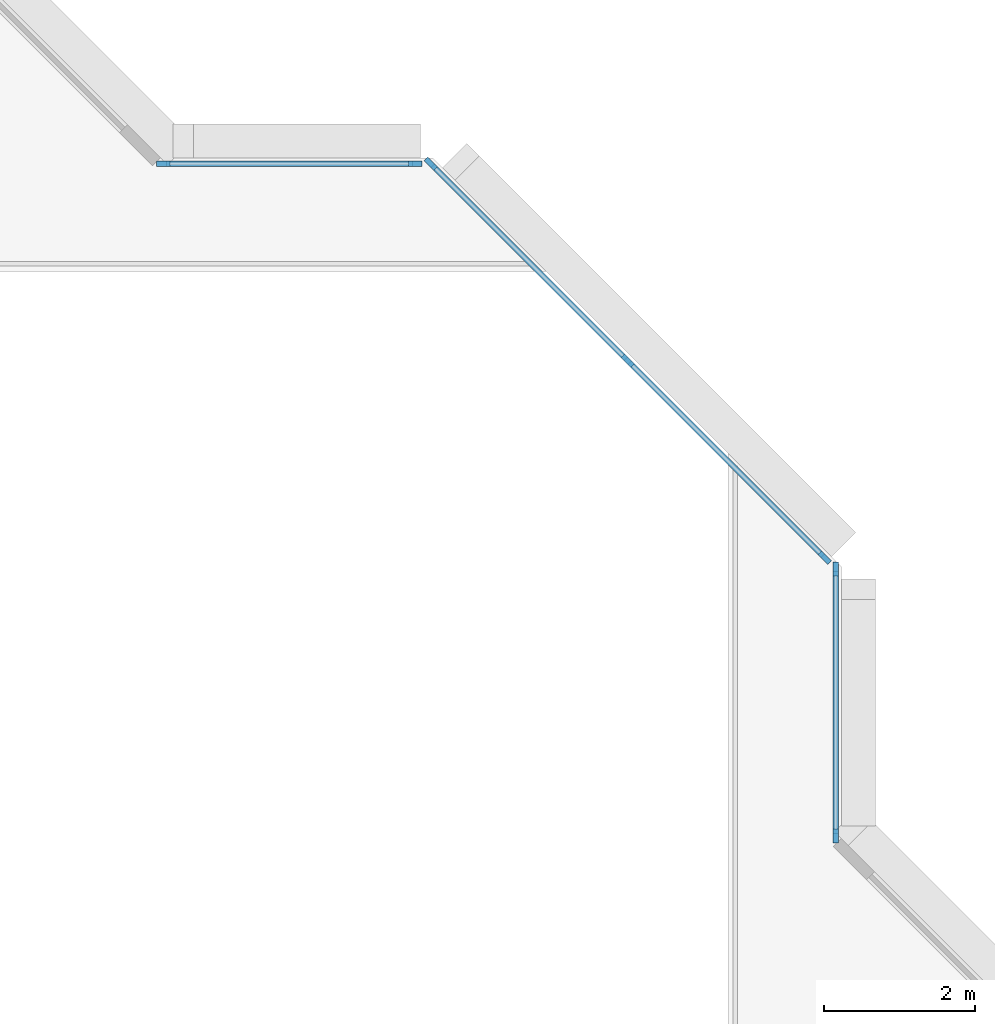
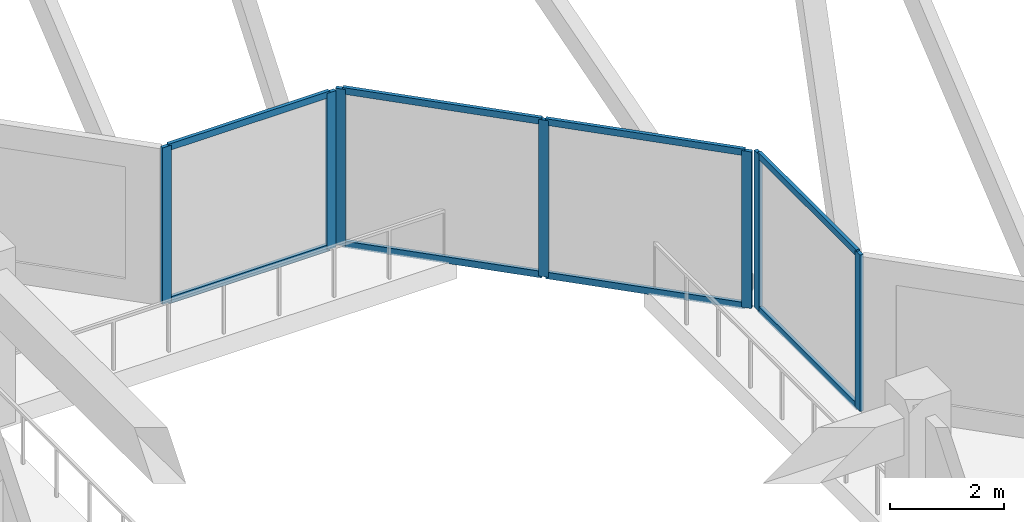
# One storey, part 2 of 15: 15 members, 3 elements without a shape of their own.
"""IFC4 building model written with IfcOpenShell, lengths in metres."""

import ifcopenshell
import ifcopenshell.guid

model = None  # the IFC model being written
_history = None  # IfcOwnerHistory: only IFC2X3 demands one
_inside = {}  # id of a spatial element -> (the spatial element, [elements in it])
_under = {}  # id of a project, library or spatial element -> (it, [spatial elements below it])
_declared = {}  # id of a project -> (the project, [libraries it declares])
_typed = {}  # id of a type object -> (the type object, [elements of that type])
_made_of = {}  # id of a material, layer set ... -> (it, [elements and type objects made of it])


def new_model(schema):
    """Start an empty IFC model of exactly this schema.

    Asked for "IFC4X3", IfcOpenShell would pick the latest addendum, in which some entities
    have other attributes; the version numbers below select the first issue.
    IFC2X3 requires an IfcOwnerHistory on every rooted entity: one is made here for all.
    """
    global model, _history
    if schema == "IFC4X3":
        model = ifcopenshell.file(schema_version=(4, 3, 0, 0))
    else:
        model = ifcopenshell.file(schema=schema)
    _inside.clear()
    _under.clear()
    _declared.clear()
    _typed.clear()
    _made_of.clear()
    _history = None
    if model.schema == "IFC2X3":
        org = make("IfcOrganization", Name="unknown")
        user = make(
            "IfcPersonAndOrganization",
            ThePerson=make("IfcPerson", FamilyName="unknown"),
            TheOrganization=org,
        )
        app = make(
            "IfcApplication",
            ApplicationDeveloper=org,
            Version="unknown",
            ApplicationFullName="unknown",
            ApplicationIdentifier="unknown",
        )
        _history = make(
            "IfcOwnerHistory",
            OwningUser=user,
            OwningApplication=app,
            ChangeAction="ADDED",
            CreationDate=0,
        )
    return model


def make(cls, **values):
    """One entity of the class cls with the attributes given. An attribute that is None is left unset."""
    return model.create_entity(
        cls, **{name: value for name, value in values.items() if value is not None}
    )


def rooted(cls, **values):
    """An entity with a GlobalId (a new one), such as an element, a storey or a relation."""
    return make(cls, GlobalId=ifcopenshell.guid.new(), OwnerHistory=_history, **values)


def si_unit(unit_type, name, prefix=None):
    """IfcSIUnit, for example si_unit("LENGTHUNIT", "METRE", prefix="MILLI")."""
    return make("IfcSIUnit", UnitType=unit_type, Prefix=prefix, Name=name)


def assignment(units):
    """IfcUnitAssignment: the units of a project."""
    return None if units is None else make("IfcUnitAssignment", Units=units)


def point(xyz):
    """IfcCartesianPoint."""
    return None if xyz is None else make("IfcCartesianPoint", Coordinates=xyz)


def direction(xyz):
    """IfcDirection."""
    return None if xyz is None else make("IfcDirection", DirectionRatios=xyz)


def frame(location, z_axis=None, x_axis=None):
    """IfcAxis2Placement3D, a coordinate frame: its origin and axes. An axis left out is left unset."""
    return make(
        "IfcAxis2Placement3D",
        Location=point(location),
        Axis=direction(z_axis),
        RefDirection=direction(x_axis),
    )


def frame_2d(location, x_axis=None):
    """IfcAxis2Placement2D, a coordinate frame in the plane: its origin and x axis."""
    return make(
        "IfcAxis2Placement2D", Location=point(location), RefDirection=direction(x_axis)
    )


def origin():
    """The frame at (0, 0, 0) with its axes left unset."""
    return frame((0.0, 0.0, 0.0))


def origin_2d():
    """The frame at (0, 0) in the plane with its x axis left unset."""
    return frame_2d((0.0, 0.0))


def place(relative_to, where):
    """IfcLocalPlacement: puts the frame where relative to a parent placement (None: the world)."""
    return make(
        "IfcLocalPlacement", PlacementRelTo=relative_to, RelativePlacement=where
    )


def context(
    kind, dimensions, precision=None, world=None, true_north=None, identifier=None
):
    """IfcGeometricRepresentationContext, for example the 3D "Model" context."""
    return make(
        "IfcGeometricRepresentationContext",
        ContextIdentifier=identifier,
        ContextType=kind,
        CoordinateSpaceDimension=dimensions,
        Precision=precision,
        WorldCoordinateSystem=world,
        TrueNorth=true_north,
    )


def subcontext(parent, identifier, kind, view, scale=None):
    """IfcGeometricRepresentationSubContext, for example "Body" below "Model"."""
    return make(
        "IfcGeometricRepresentationSubContext",
        ContextIdentifier=identifier,
        ContextType=kind,
        ParentContext=parent,
        TargetScale=scale,
        TargetView=view,
    )


def project(units=None, contexts=None):
    """IfcProject with its units and contexts."""
    return rooted(
        "IfcProject",
        Name="project",
        RepresentationContexts=contexts,
        UnitsInContext=assignment(units),
    )


def spatial(cls, under=None, at=None, **own):
    """A site, building, storey or space (cls), placed at a placement, below another one or the project."""
    s = rooted(cls, ObjectPlacement=at, **own)
    if under is not None:
        _under.setdefault(under.id(), (under, []))[1].append(s)
    return s


def profile(cls, at=None, kind="AREA", **sizes):
    """A parametric profile (cls). Its sizes go by their IFC names, for example OverallWidth=200.0."""
    return make(cls, ProfileType=kind, Position=at, **sizes)


def rectangle(**sizes):
    """IfcRectangleProfileDef."""
    return profile("IfcRectangleProfileDef", **sizes)


def extrude(swept, where, along, depth):
    """IfcExtrudedAreaSolid: the profile swept, set in the frame where, extruded along a direction by depth."""
    return make(
        "IfcExtrudedAreaSolid",
        SweptArea=swept,
        Position=where,
        ExtrudedDirection=direction(along),
        Depth=depth,
    )


def shape(context_of_items, identifier, shape_type, items):
    """IfcShapeRepresentation: the items that make up one representation, for example the "Body"."""
    return make(
        "IfcShapeRepresentation",
        ContextOfItems=context_of_items,
        RepresentationIdentifier=identifier,
        RepresentationType=shape_type,
        Items=items,
    )


def material(Name=None, Category=None):
    """IfcMaterial."""
    return make("IfcMaterial", Name=Name, Category=Category)


def layer(
    of_material, thickness, ventilated=None, Name=None, Category=None, Priority=None
):
    """IfcMaterialLayer: one layer of a wall or slab, of a material (None: an air gap)."""
    return make(
        "IfcMaterialLayer",
        Material=of_material,
        LayerThickness=thickness,
        IsVentilated=ventilated,
        Name=Name,
        Category=Category,
        Priority=Priority,
    )


def layer_set(layers, Name=None):
    """IfcMaterialLayerSet."""
    return make("IfcMaterialLayerSet", MaterialLayers=layers, LayerSetName=Name)


def material_profile(
    of_material, cross_section, Name=None, Category=None, Priority=None
):
    """IfcMaterialProfile: a cross section and its material."""
    return make(
        "IfcMaterialProfile",
        Name=Name,
        Material=of_material,
        Profile=cross_section,
        Priority=Priority,
        Category=Category,
    )


def profile_set(profiles, Name=None, composite=None):
    """IfcMaterialProfileSet."""
    return make(
        "IfcMaterialProfileSet",
        Name=Name,
        MaterialProfiles=profiles,
        CompositeProfile=composite,
    )


def made_of(thing, what):
    """Note that an element or type object is made of a material, layer set ...; save() writes the relation."""
    if what is not None:
        _made_of.setdefault(what.id(), (what, []))[1].append(thing)
    return thing


def type_object(cls, material=None, **own):
    """A type object (cls), such as IfcWallType, which elements share."""
    return made_of(rooted(cls, **own), material)


def element(
    cls,
    number,
    at=None,
    inside=None,
    cuts=None,
    type_object=None,
    material=None,
    context=None,
    identifier="Body",
    shape_type=None,
    held_by="IfcProductDefinitionShape",
    body=None,
    shapes=None,
    **own,
):
    """One element of the class cls, such as IfcWall. Its Tag is "e" and its number.

    at: its placement. inside: the storey or other place that contains it. cuts: it is an
    opening in that element (IfcRelVoidsElement). A single representation is given by context,
    identifier, shape_type and body (its items); several are given by shapes. held_by: the class
    of the entity that holds the representations. save() writes the other relations.
    """
    e = rooted(cls, Tag="e%d" % number, ObjectPlacement=at, **own)
    if body is not None:
        shapes = [shape(context, identifier, shape_type, body)]
    if shapes is not None:
        e.Representation = make(held_by, Representations=shapes)
    if inside is not None:
        _inside.setdefault(inside.id(), (inside, []))[1].append(e)
    if cuts is not None:
        rooted(
            "IfcRelVoidsElement", RelatingBuildingElement=cuts, RelatedOpeningElement=e
        )
    if type_object is not None:
        _typed.setdefault(type_object.id(), (type_object, []))[1].append(e)
    return made_of(e, material)


def aggregate(whole, parts):
    """IfcRelAggregates: a whole, such as a stair, and the parts it consists of."""
    return rooted("IfcRelAggregates", RelatingObject=whole, RelatedObjects=parts)


def save(model, path):
    """Write the relations noted so far, then the file.

    IfcRelAggregates (storeys below a building ...), IfcRelContainedInSpatialStructure (elements
    in a storey), IfcRelDefinesByType, IfcRelAssociatesMaterial and IfcRelDeclares: one each for
    every whole, place, type object, material and project.
    """
    for whole, parts in _under.values():
        aggregate(whole, parts)
    for where, things in _inside.values():
        rooted(
            "IfcRelContainedInSpatialStructure",
            RelatedElements=things,
            RelatingStructure=where,
        )
    for kind, things in _typed.values():
        rooted("IfcRelDefinesByType", RelatedObjects=things, RelatingType=kind)
    for what, things in _made_of.values():
        rooted("IfcRelAssociatesMaterial", RelatedObjects=things, RelatingMaterial=what)
    for by, libraries in _declared.values():
        rooted("IfcRelDeclares", RelatingContext=by, RelatedDefinitions=libraries)
    model.write(path)


model = new_model("IFC4")

# Units and contexts
model_context = context("Model", 3, precision=1e-05, world=origin(), true_north=direction((0.0, 1.0)))
body_context = subcontext(model_context, "Body", "Model", "MODEL_VIEW")
ifc_project = project(units=[si_unit("LENGTHUNIT", "METRE"), si_unit("AREAUNIT", "SQUARE_METRE"), si_unit("VOLUMEUNIT", "CUBIC_METRE"), si_unit("PLANEANGLEUNIT", "RADIAN"), si_unit("MASSUNIT", "GRAM", prefix="KILO")], contexts=[model_context])

# Site, building, storey
site_placement = place(None, origin())
site = spatial("IfcSite", under=ifc_project, at=site_placement, CompositionType="ELEMENT")
building_placement = place(site_placement, origin())
building = spatial("IfcBuilding", under=site, at=building_placement, Name="Chenar Terraces", CompositionType="ELEMENT")
storey_placement = place(building_placement, frame((0.0, 0.0, 245.39990234375)))
storey = spatial("IfcBuildingStorey", under=building, at=storey_placement, Name="L58", CompositionType="ELEMENT", Elevation=245.39990234375)

# Curtain wall, members
ifc_material_1 = material(Name="Aluminium framed glazing", Category="aluminium")
ifc_layer = layer(ifc_material_1, 0.14990234375)
ifc_layer_set = layer_set([ifc_layer], Name="Aluminium framed glazing")
curtain_wall_type = type_object("IfcCurtainWallType", Name="Atrium mid-zone curtain wall", PredefinedType="NOTDEFINED", material=ifc_layer_set)
placement = place(storey_placement, origin())
curtain_wall_1 = element("IfcCurtainWall", 1, at=placement, inside=storey, type_object=curtain_wall_type, Name="Atrium mid-zone curtain wall", PredefinedType="NOTDEFINED")
ifc_material_2 = material(Name="Aluminium", Category="aluminium")
ifc_material_profile_1 = material_profile(ifc_material_2, rectangle(XDim=0.070068359375, YDim=0.179931640625, at=origin_2d()), Name="Atrium mid-zone glazing mullion 70 x 180")
ifc_profile_set_1 = profile_set([ifc_material_profile_1], Name="Aluminium")
member_type_1 = type_object("IfcMemberType", Name="Atrium mid-zone glazing mullion 70 x 180", PredefinedType="MULLION", material=ifc_profile_set_1)
member_1_placement = place(storey_placement, frame((37.425048828125, 28.534912109375, 0.0), z_axis=(0.0, 0.0, 1.0), x_axis=(-1.0, 0.0, 0.0)))
member_1 = element("IfcMember", 2, at=member_1_placement, type_object=member_type_1, Name="CW7-1 mullion 1", PredefinedType="MULLION", context=body_context, shape_type="SweptSolid", body=[
    extrude(rectangle(XDim=0.070068359375, YDim=0.179931640625, at=origin_2d()), origin(), (0.0, 0.0, 1.0), 3.35009765625),
])
member_2_placement = place(storey_placement, frame((37.425048828125, 32.06494140625, 0.0), z_axis=(0.0, 0.0, 1.0), x_axis=(-1.0, 0.0, 0.0)))
member_2 = element("IfcMember", 3, at=member_2_placement, type_object=member_type_1, Name="CW7-1 mullion 2", PredefinedType="MULLION", context=body_context, shape_type="SweptSolid", body=[
    extrude(rectangle(XDim=0.070068359375, YDim=0.179931640625, at=origin_2d()), origin(), (0.0, 0.0, 1.0), 3.35009765625),
])

curtain_wall_2 = element("IfcCurtainWall", 4, at=placement, inside=storey, type_object=curtain_wall_type, Name="Atrium mid-zone curtain wall", PredefinedType="NOTDEFINED")
member_3_placement = place(storey_placement, frame((37.28076171875, 32.213134765625, 0.0), z_axis=(0.0, 0.0, 1.0), x_axis=(-0.707106781187, -0.707106781187, 0.0)))
member_3 = element("IfcMember", 5, at=member_3_placement, type_object=member_type_1, Name="CW7-2 mullion 1", PredefinedType="MULLION", context=body_context, shape_type="SweptSolid", body=[
    extrude(rectangle(XDim=0.070068359375, YDim=0.179931640625, at=origin_2d()), origin(), (0.0, 0.0, 1.0), 3.35009765625),
])
member_4_placement = place(storey_placement, frame((34.67626953125, 34.817626953125, 0.0), z_axis=(0.0, 0.0, 1.0), x_axis=(-0.707106781187, -0.707106781187, 0.0)))
member_4 = element("IfcMember", 6, at=member_4_placement, type_object=member_type_1, Name="CW7-2 mullion 2", PredefinedType="MULLION", context=body_context, shape_type="SweptSolid", body=[
    extrude(rectangle(XDim=0.070068359375, YDim=0.179931640625, at=origin_2d()), origin(), (0.0, 0.0, 1.0), 3.35009765625),
])
member_5_placement = place(storey_placement, frame((32.07177734375, 37.42236328125, 0.0), z_axis=(0.0, 0.0, 1.0), x_axis=(-0.707106781187, -0.707106781187, 0.0)))
member_5 = element("IfcMember", 7, at=member_5_placement, type_object=member_type_1, Name="CW7-2 mullion 3", PredefinedType="MULLION", context=body_context, shape_type="SweptSolid", body=[
    extrude(rectangle(XDim=0.070068359375, YDim=0.179931640625, at=origin_2d()), origin(), (0.0, 0.0, 1.0), 3.35009765625),
])

curtain_wall_3 = element("IfcCurtainWall", 8, at=placement, inside=storey, type_object=curtain_wall_type, Name="Atrium mid-zone curtain wall", PredefinedType="NOTDEFINED")
member_6_placement = place(storey_placement, frame((31.864990234375, 37.425048828125, 0.0), z_axis=(0.0, 0.0, 1.0), x_axis=(0.0, -1.0, 0.0)))
member_6 = element("IfcMember", 9, at=member_6_placement, type_object=member_type_1, Name="CW7-3 mullion 1", PredefinedType="MULLION", context=body_context, shape_type="SweptSolid", body=[
    extrude(rectangle(XDim=0.070068359375, YDim=0.179931640625, at=origin_2d()), origin(), (0.0, 0.0, 1.0), 3.35009765625),
])
member_7_placement = place(storey_placement, frame((28.534912109375, 37.425048828125, 0.0), z_axis=(0.0, 0.0, 1.0), x_axis=(0.0, -1.0, 0.0)))
member_7 = element("IfcMember", 10, at=member_7_placement, type_object=member_type_1, Name="CW7-3 mullion 2", PredefinedType="MULLION", context=body_context, shape_type="SweptSolid", body=[
    extrude(rectangle(XDim=0.070068359375, YDim=0.179931640625, at=origin_2d()), origin(), (0.0, 0.0, 1.0), 3.35009765625),
])

# Member
ifc_material_3 = material(Name="Aluminium", Category="aluminium")
ifc_material_profile_2 = material_profile(ifc_material_3, rectangle(XDim=0.070068359375, YDim=0.139892578125, at=origin_2d()), Name="Atrium mid-zone glazing transom 70 x 140")
ifc_profile_set_2 = profile_set([ifc_material_profile_2], Name="Aluminium")
member_type_2 = type_object("IfcMemberType", Name="Atrium mid-zone glazing transom 70 x 140", PredefinedType="USERDEFINED", material=ifc_profile_set_2)
member_8_placement = place(storey_placement, frame((37.425048828125, 28.570068359375, 0.03515625), z_axis=(0.0, 1.0, 0.0), x_axis=(-1.0, 0.0, 0.0)))
member_8 = element("IfcMember", 11, at=member_8_placement, type_object=member_type_2, Name="CW7-1 transom 1.1", ObjectType="TRANSOM", PredefinedType="USERDEFINED", context=body_context, shape_type="SweptSolid", body=[
    extrude(rectangle(XDim=0.070068359375, YDim=0.139892578125, at=origin_2d()), origin(), (0.0, 0.0, 1.0), 3.4599609375),
])

member_9_placement = place(storey_placement, frame((37.425048828125, 28.570068359375, 3.315185546875), z_axis=(0.0, 1.0, 0.0), x_axis=(-1.0, 0.0, 0.0)))
member_9 = element("IfcMember", 12, at=member_9_placement, type_object=member_type_2, Name="CW7-1 transom 1.2", ObjectType="TRANSOM", PredefinedType="USERDEFINED", context=body_context, shape_type="SweptSolid", body=[
    extrude(rectangle(XDim=0.070068359375, YDim=0.139892578125, at=origin_2d()), origin(), (0.0, 0.0, 1.0), 3.4599609375),
])

aggregate(curtain_wall_1, [member_1, member_2, member_8, member_9])

member_10_placement = place(storey_placement, frame((37.256103515625, 32.23779296875, 0.03515625), z_axis=(-0.707106781187, 0.707106781187, 0.0), x_axis=(-0.707106781187, -0.707106781187, 0.0)))
member_10 = element("IfcMember", 13, at=member_10_placement, type_object=member_type_2, Name="CW7-2 transom 1.1", ObjectType="TRANSOM", PredefinedType="USERDEFINED", context=body_context, shape_type="SweptSolid", body=[
    extrude(rectangle(XDim=0.070068359375, YDim=0.139892578125, at=origin_2d()), origin(), (0.0, 0.0, 1.0), 3.613525390625),
])

member_11_placement = place(storey_placement, frame((37.256103515625, 32.23779296875, 3.315185546875), z_axis=(-0.707106781187, 0.707106781187, 0.0), x_axis=(-0.707106781187, -0.707106781187, 0.0)))
member_11 = element("IfcMember", 14, at=member_11_placement, type_object=member_type_2, Name="CW7-2 transom 1.2", ObjectType="TRANSOM", PredefinedType="USERDEFINED", context=body_context, shape_type="SweptSolid", body=[
    extrude(rectangle(XDim=0.070068359375, YDim=0.139892578125, at=origin_2d()), origin(), (0.0, 0.0, 1.0), 3.613525390625),
])

member_12_placement = place(storey_placement, frame((34.651611328125, 34.842529296875, 0.03515625), z_axis=(-0.707140563131, 0.707072997628, 0.0), x_axis=(-0.707072997628, -0.707140563131, 0.0)))
member_12 = element("IfcMember", 15, at=member_12_placement, type_object=member_type_2, Name="CW7-2 transom 2.1", ObjectType="TRANSOM", PredefinedType="USERDEFINED", context=body_context, shape_type="SweptSolid", body=[
    extrude(rectangle(XDim=0.070068359375, YDim=0.139892578125, at=origin_2d()), origin(), (0.0, 0.0, 1.0), 3.61328125),
])

member_13_placement = place(storey_placement, frame((34.651611328125, 34.842529296875, 3.315185546875), z_axis=(-0.707140563131, 0.707072997628, 0.0), x_axis=(-0.707072997628, -0.707140563131, 0.0)))
member_13 = element("IfcMember", 16, at=member_13_placement, type_object=member_type_2, Name="CW7-2 transom 2.2", ObjectType="TRANSOM", PredefinedType="USERDEFINED", context=body_context, shape_type="SweptSolid", body=[
    extrude(rectangle(XDim=0.070068359375, YDim=0.139892578125, at=origin_2d()), origin(), (0.0, 0.0, 1.0), 3.61328125),
])

aggregate(curtain_wall_2, [member_3, member_4, member_5, member_10, member_11, member_12, member_13])

member_14_placement = place(storey_placement, frame((31.830078125, 37.425048828125, 0.03515625), z_axis=(-1.0, 0.0, 0.0), x_axis=(0.0, -1.0, 0.0)))
member_14 = element("IfcMember", 17, at=member_14_placement, type_object=member_type_2, Name="CW7-3 transom 1.1", ObjectType="TRANSOM", PredefinedType="USERDEFINED", context=body_context, shape_type="SweptSolid", body=[
    extrude(rectangle(XDim=0.070068359375, YDim=0.139892578125, at=origin_2d()), origin(), (0.0, 0.0, 1.0), 3.260009765625),
])

member_15_placement = place(storey_placement, frame((31.830078125, 37.425048828125, 3.315185546875), z_axis=(-1.0, 0.0, 0.0), x_axis=(0.0, -1.0, 0.0)))
member_15 = element("IfcMember", 18, at=member_15_placement, type_object=member_type_2, Name="CW7-3 transom 1.2", ObjectType="TRANSOM", PredefinedType="USERDEFINED", context=body_context, shape_type="SweptSolid", body=[
    extrude(rectangle(XDim=0.070068359375, YDim=0.139892578125, at=origin_2d()), origin(), (0.0, 0.0, 1.0), 3.260009765625),
])

aggregate(curtain_wall_3, [member_6, member_7, member_14, member_15])

save(model, "model.ifc")
